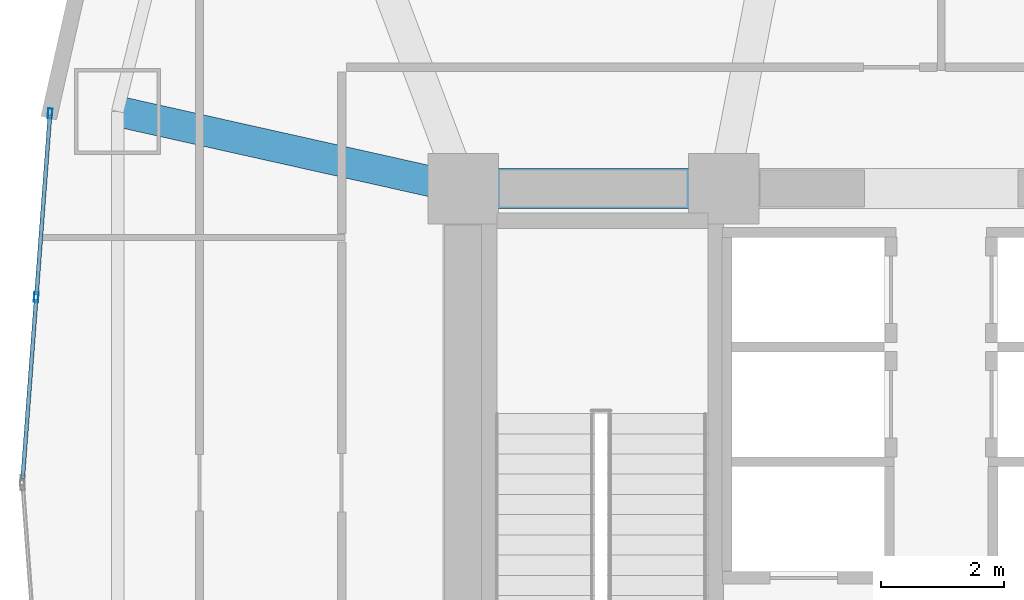
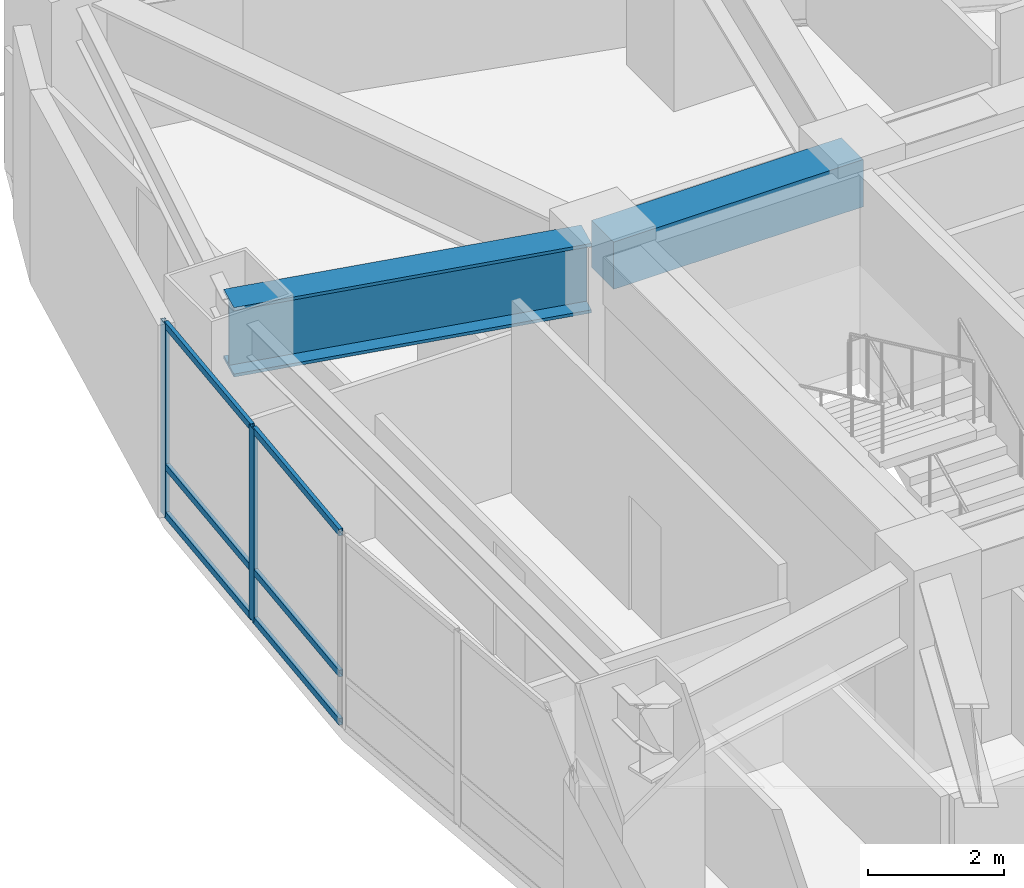
# One storey, part 7 of 19: 8 members, 2 beams, 1 element without a shape of its own.
"""IFC4 building model written with IfcOpenShell, lengths in metres."""

from ifc_helpers import new_model, si_unit, direction, frame, origin, origin_2d, place, context, subcontext, project, spatial, rectangle, hollow_rectangle, i_section, extrude, material, layer, layer_set, material_profile, profile_set, type_object, element, aggregate, save


model = new_model("IFC4")

# Units and contexts
model_context = context("Model", 3, precision=1e-05, world=origin(), true_north=direction((0.0, 1.0)))
body_context = subcontext(model_context, "Body", "Model", "MODEL_VIEW")
ifc_project = project(units=[si_unit("LENGTHUNIT", "METRE"), si_unit("AREAUNIT", "SQUARE_METRE"), si_unit("VOLUMEUNIT", "CUBIC_METRE"), si_unit("PLANEANGLEUNIT", "RADIAN"), si_unit("MASSUNIT", "GRAM", prefix="KILO")], contexts=[model_context])

# Site, building, storey
site_placement = place(None, origin())
site = spatial("IfcSite", under=ifc_project, at=site_placement, CompositionType="ELEMENT")
building_placement = place(site_placement, origin())
building = spatial("IfcBuilding", under=site, at=building_placement, Name="Menara Vayukalpa", CompositionType="ELEMENT")
storey_placement = place(building_placement, frame((0.0, 0.0, 68.52001953125)))
storey = spatial("IfcBuildingStorey", under=building, at=storey_placement, Name="L16", CompositionType="ELEMENT", Elevation=68.52001953125)

# Beams
ifc_material_1 = material(Name="Concrete C60/75", Category="concrete")
ifc_material_profile_1 = material_profile(ifc_material_1, rectangle(XDim=0.64990234375, YDim=0.85009765625, at=origin_2d()), Name="RC 650x850")
ifc_profile_set_1 = profile_set([ifc_material_profile_1], Name="Concrete C60/75")
beam_type_1 = type_object("IfcBeamType", Name="BM-CB1", PredefinedType="BEAM", material=ifc_profile_set_1)
beam_1_placement = place(storey_placement, frame((17.800048828125, 26.800048828125, 3.044921875), z_axis=(1.0, 0.0, 0.0), x_axis=(0.0, 1.0, 0.0)))
element("IfcBeam", 1, at=beam_1_placement, inside=storey, type_object=beam_type_1, Name="L16 Core Tie Beam CBR4", PredefinedType="BEAM", context=body_context, shape_type="SweptSolid", body=[
    extrude(rectangle(XDim=0.64990234375, YDim=0.85009765625, at=origin_2d()), origin(), (0.0, 0.0, 1.0), 4.25),
])
ifc_material_2 = material(Name="Steel S460", Category="steel")
ifc_material_profile_2 = material_profile(ifc_material_2, i_section(OverallWidth=0.5, OverallDepth=1.25, WebThickness=0.028076171875, FlangeThickness=0.054931640625, at=origin_2d()), Name="WG 1250x500x28x55")
ifc_profile_set_2 = profile_set([ifc_material_profile_2], Name="Steel S460")
beam_type_2 = type_object("IfcBeamType", Name="BM-TG2", PredefinedType="BEAM", material=ifc_profile_set_2)
beam_2_placement = place(storey_placement, frame((17.555908203125, 26.8544921875, 2.844970703125), z_axis=(-0.975920137818, 0.218128138031, 0.0), x_axis=(-0.218128138031, -0.975920137818, 0.0)))
element("IfcBeam", 2, at=beam_2_placement, inside=storey, type_object=beam_type_2, Name="L16 Primary Radial Girder RG05", PredefinedType="BEAM", context=body_context, shape_type="SweptSolid", body=[
    extrude(i_section(OverallWidth=0.5, OverallDepth=1.25, WebThickness=0.028076171875, FlangeThickness=0.054931640625, at=origin_2d()), origin(), (0.0, 0.0, 1.0), 5.524658203125),
])

# Curtain wall, members
ifc_material_3 = material(Name="Anodised Terracotta Aluminium Alloy 6063-T6", Category="masonry")
ifc_layer = layer(ifc_material_3, 0.1650390625)
ifc_layer_set = layer_set([ifc_layer], Name="Anodised Terracotta Aluminium Alloy 6063-T6")
curtain_wall_type = type_object("IfcCurtainWallType", Name="CW-CW2", PredefinedType="USERDEFINED", material=ifc_layer_set)
curtain_wall_placement = place(storey_placement, origin())
curtain_wall = element("IfcCurtainWall", 3, at=curtain_wall_placement, inside=storey, type_object=curtain_wall_type, Name="L16 Low Rise Terracotta Ribbon Curtain Wall CW2 10", ObjectType="UNITISED", PredefinedType="USERDEFINED")
ifc_material_4 = material(Name="Anodised Terracotta Aluminium Alloy 6063-T6", Category="masonry")
ifc_material_profile_3 = material_profile(ifc_material_4, hollow_rectangle(XDim=0.070068359375, YDim=0.1650390625, WallThickness=0.00390625, at=origin_2d()), Name="ALU 70x165x4")
ifc_profile_set_3 = profile_set([ifc_material_profile_3], Name="Anodised Terracotta Aluminium Alloy 6063-T6")
member_type_1 = type_object("IfcMemberType", Name="CWM-CW2", PredefinedType="MULLION", material=ifc_profile_set_3)
member_1_placement = place(storey_placement, frame((11.0615234375, 28.024658203125, 0.0), z_axis=(0.0, 0.0, 1.0), x_axis=(0.997198941676, -0.074794857576, 0.0)))
member_1 = element("IfcMember", 4, at=member_1_placement, type_object=member_type_1, Name="CW2 mullion 1", PredefinedType="MULLION", context=body_context, shape_type="SweptSolid", body=[
    extrude(hollow_rectangle(XDim=0.070068359375, YDim=0.1650390625, WallThickness=0.00390625, at=origin_2d()), origin(), (0.0, 0.0, 1.0), 3.469970703125),
])
member_2_placement = place(storey_placement, frame((10.8369140625, 25.02978515625, 0.0), z_axis=(0.0, 0.0, 1.0), x_axis=(0.997198941676, -0.074794857576, 0.0)))
member_2 = element("IfcMember", 5, at=member_2_placement, type_object=member_type_1, Name="CW2 mullion 2", PredefinedType="MULLION", context=body_context, shape_type="SweptSolid", body=[
    extrude(hollow_rectangle(XDim=0.070068359375, YDim=0.1650390625, WallThickness=0.00390625, at=origin_2d()), origin(), (0.0, 0.0, 1.0), 3.469970703125),
])
ifc_material_5 = material(Name="Anodised Terracotta Aluminium Alloy 6063-T6", Category="masonry")
ifc_material_profile_4 = material_profile(ifc_material_5, hollow_rectangle(XDim=0.06494140625, YDim=0.1201171875, WallThickness=0.00341796875, at=origin_2d()), Name="ALU 65x120x3.5")
ifc_profile_set_4 = profile_set([ifc_material_profile_4], Name="Anodised Terracotta Aluminium Alloy 6063-T6")
member_type_2 = type_object("IfcMemberType", Name="CWT-CW2", PredefinedType="USERDEFINED", material=ifc_profile_set_4)
member_3_placement = place(storey_placement, frame((11.05908203125, 27.98974609375, 0.032470703125), z_axis=(-0.074825123723, -0.997196671103, 0.0), x_axis=(0.997196671103, -0.074825123723, 0.0)))
member_3 = element("IfcMember", 6, at=member_3_placement, type_object=member_type_2, Name="CW2 transom 1.1", ObjectType="TRANSOM", PredefinedType="USERDEFINED", context=body_context, shape_type="SweptSolid", body=[
    extrude(hollow_rectangle(XDim=0.06494140625, YDim=0.1201171875, WallThickness=0.00341796875, at=origin_2d()), origin(), (0.0, 0.0, 1.0), 2.933349609375),
])
member_4_placement = place(storey_placement, frame((11.05908203125, 27.98974609375, 0.89990234375), z_axis=(-0.074825123723, -0.997196671103, 0.0), x_axis=(0.997196671103, -0.074825123723, 0.0)))
member_4 = element("IfcMember", 7, at=member_4_placement, type_object=member_type_2, Name="CW2 transom 1.2", ObjectType="TRANSOM", PredefinedType="USERDEFINED", context=body_context, shape_type="SweptSolid", body=[
    extrude(hollow_rectangle(XDim=0.06494140625, YDim=0.1201171875, WallThickness=0.00341796875, at=origin_2d()), origin(), (0.0, 0.0, 1.0), 2.933349609375),
])
member_5_placement = place(storey_placement, frame((11.05908203125, 27.98974609375, 3.4375), z_axis=(-0.074825123723, -0.997196671103, 0.0), x_axis=(0.997196671103, -0.074825123723, 0.0)))
member_5 = element("IfcMember", 8, at=member_5_placement, type_object=member_type_2, Name="CW2 transom 1.3", ObjectType="TRANSOM", PredefinedType="USERDEFINED", context=body_context, shape_type="SweptSolid", body=[
    extrude(hollow_rectangle(XDim=0.06494140625, YDim=0.1201171875, WallThickness=0.00341796875, at=origin_2d()), origin(), (0.0, 0.0, 1.0), 2.933349609375),
])
member_6_placement = place(storey_placement, frame((10.834228515625, 24.994873046875, 0.032470703125), z_axis=(-0.074742357441, -0.997202878057, 0.0), x_axis=(0.997202878057, -0.074742357441, 0.0)))
member_6 = element("IfcMember", 9, at=member_6_placement, type_object=member_type_2, Name="CW2 transom 2.1", ObjectType="TRANSOM", PredefinedType="USERDEFINED", context=body_context, shape_type="SweptSolid", body=[
    extrude(hollow_rectangle(XDim=0.06494140625, YDim=0.1201171875, WallThickness=0.00341796875, at=origin_2d()), origin(), (0.0, 0.0, 1.0), 2.933349609375),
])
member_7_placement = place(storey_placement, frame((10.834228515625, 24.994873046875, 0.89990234375), z_axis=(-0.074742357441, -0.997202878057, 0.0), x_axis=(0.997202878057, -0.074742357441, 0.0)))
member_7 = element("IfcMember", 10, at=member_7_placement, type_object=member_type_2, Name="CW2 transom 2.2", ObjectType="TRANSOM", PredefinedType="USERDEFINED", context=body_context, shape_type="SweptSolid", body=[
    extrude(hollow_rectangle(XDim=0.06494140625, YDim=0.1201171875, WallThickness=0.00341796875, at=origin_2d()), origin(), (0.0, 0.0, 1.0), 2.933349609375),
])
member_8_placement = place(storey_placement, frame((10.834228515625, 24.994873046875, 3.4375), z_axis=(-0.074742357441, -0.997202878057, 0.0), x_axis=(0.997202878057, -0.074742357441, 0.0)))
member_8 = element("IfcMember", 11, at=member_8_placement, type_object=member_type_2, Name="CW2 transom 2.3", ObjectType="TRANSOM", PredefinedType="USERDEFINED", context=body_context, shape_type="SweptSolid", body=[
    extrude(hollow_rectangle(XDim=0.06494140625, YDim=0.1201171875, WallThickness=0.00341796875, at=origin_2d()), origin(), (0.0, 0.0, 1.0), 2.933349609375),
])
aggregate(curtain_wall, [member_1, member_2, member_3, member_4, member_5, member_6, member_7, member_8])

save(model, "model.ifc")
